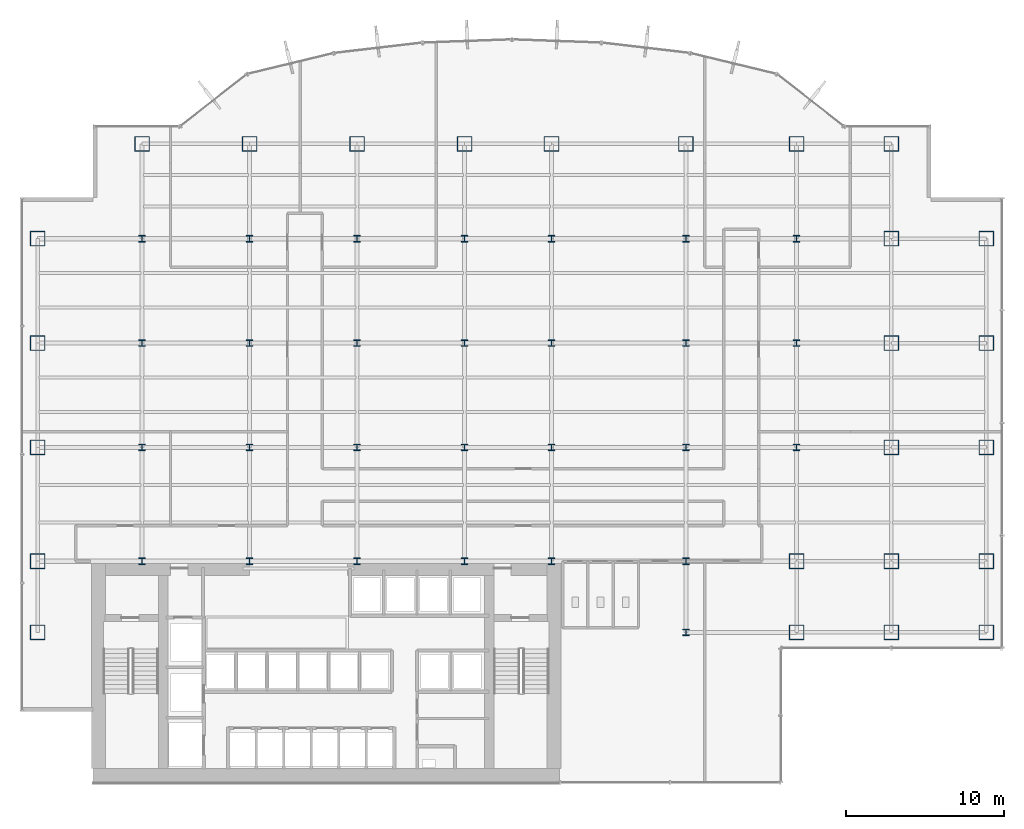
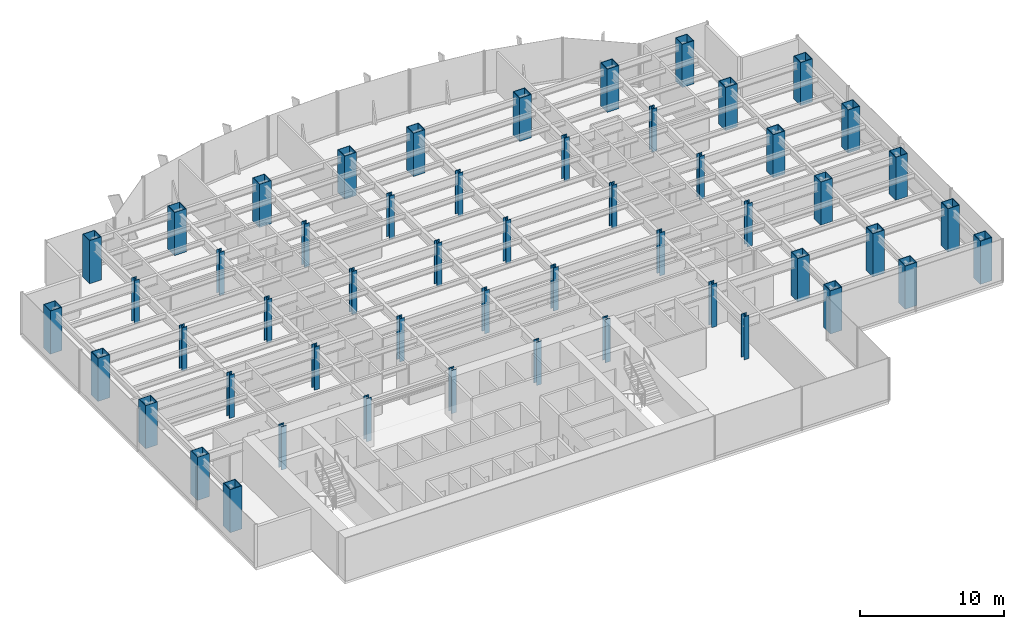
# One storey, part 1 of 22: 53 columns.
"""IFC4 building model written with IfcOpenShell, lengths in metres."""

from ifc_helpers import new_model, si_unit, derived_unit, direction, frame, origin, origin_2d, place, context, subcontext, project, spatial, hollow_rectangle, i_section, extrude, source, transform, mapped, material, material_profile, profile_set, type_object, element, save


model = new_model("IFC4")

# Units and contexts
model_context = context("Model", 3, precision=1e-05, world=origin(), true_north=direction((0.0, 1.0)))
body_context = subcontext(model_context, "Body", "Model", "MODEL_VIEW")
ifc_project = project(units=[si_unit("LENGTHUNIT", "METRE"), si_unit("AREAUNIT", "SQUARE_METRE"), si_unit("VOLUMEUNIT", "CUBIC_METRE"), si_unit("PLANEANGLEUNIT", "RADIAN"), si_unit("MASSUNIT", "GRAM", prefix="KILO"), derived_unit("THERMALTRANSMITTANCEUNIT", [(si_unit("POWERUNIT", "WATT"), 1), (si_unit("LENGTHUNIT", "METRE"), -2), (si_unit("THERMODYNAMICTEMPERATUREUNIT", "KELVIN"), -1)])], contexts=[model_context])

# Site, building, storey
site_placement = place(None, origin())
site = spatial("IfcSite", under=ifc_project, at=site_placement, CompositionType="ELEMENT")
building_placement = place(site_placement, origin())
building = spatial("IfcBuilding", under=site, at=building_placement, Name="Skarnbrae Concourse Arena and Tower", CompositionType="ELEMENT")
storey_placement = place(building_placement, frame((0.0, 0.0, 39.800048828125)))
storey = spatial("IfcBuildingStorey", under=building, at=storey_placement, Name="L08", CompositionType="ELEMENT", Elevation=39.800048828125)

# Columns
ifc_material = material(Name="Steel CSA G40.21 350W", Category="steel")
ifc_material_profile_1 = material_profile(ifc_material, hollow_rectangle(XDim=0.949951171875, YDim=0.949951171875, WallThickness=0.044921875, at=origin_2d()), Name="BOX950X950X45")
ifc_profile_set_1 = profile_set([ifc_material_profile_1], Name="Steel CSA G40.21 350W")
column_type_1 = type_object("IfcColumnType", Name="COL-TUBE-BOX950", PredefinedType="COLUMN", material=ifc_profile_set_1)
shared_shape_1 = source(origin(), body_context, "Body", "SweptSolid", [
    extrude(hollow_rectangle(XDim=0.949951171875, YDim=0.949951171875, WallThickness=0.044921875, at=origin_2d()), origin(), (0.0, 0.0, 1.0), 3.64990234375),
])
for number, where, z_axis, x_axis, name in (
    (1, (1.0, 9.5, 0.0), (0.0, 0.0, 1.0), (1.0, 0.0, 0.0), "L08 Tower column PC_01_01"),
    (2, (1.0, 14.0, 0.0), (0.0, 0.0, 1.0), (1.0, 0.0, 0.0), "L08 Tower column PC_01_02"),
    (3, (1.0, 21.199951171875, 0.0), (0.0, 0.0, 1.0), (1.0, 0.0, 0.0), "L08 Tower column PC_01_03"),
    (4, (1.0, 27.800048828125, 0.0), (0.0, 0.0, 1.0), (1.0, 0.0, 0.0), "L08 Tower column PC_01_04"),
    (5, (1.0, 34.39990234375, 0.0), (0.0, 0.0, 1.0), (1.0, 0.0, 0.0), "L08 Tower column PC_01_05"),
    (6, (7.60009765625, 40.39990234375, 0.0), (0.0, 0.0, 1.0), (1.0, 0.0, 0.0), "L08 Tower column PC_02_06"),
    (7, (14.39990234375, 40.39990234375, 0.0), (0.0, 0.0, 1.0), (1.0, 0.0, 0.0), "L08 Tower column PC_03_06"),
    (8, (21.199951171875, 40.39990234375, 0.0), (0.0, 0.0, 1.0), (1.0, 0.0, 0.0), "L08 Tower column PC_04_06"),
    (9, (28.0, 40.39990234375, 0.0), (0.0, 0.0, 1.0), (1.0, 0.0, 0.0), "L08 Tower column PC_05_06"),
    (10, (33.5, 40.39990234375, 0.0), (0.0, 0.0, 1.0), (1.0, 0.0, 0.0), "L08 Tower column PC_06_06"),
    (11, (42.0, 40.39990234375, 0.0), (0.0, 0.0, 1.0), (1.0, 0.0, 0.0), "L08 Tower column PC_07_06"),
    (12, (49.0, 9.5, 0.0), (0.0, 0.0, 1.0), (1.0, 0.0, 0.0), "L08 Tower column PC_08_01"),
    (13, (49.0, 14.0, 0.0), (0.0, 0.0, 1.0), (1.0, 0.0, 0.0), "L08 Tower column PC_08_02"),
    (14, (49.0, 40.39990234375, 0.0), (0.0, 0.0, 1.0), (1.0, 0.0, 0.0), "L08 Tower column PC_08_06"),
    (15, (55.0, 9.5, 0.0), (0.0, 0.0, 1.0), (1.0, 0.0, 0.0), "L08 Tower column PC_09_01"),
    (16, (55.0, 14.0, 0.0), (0.0, 0.0, 1.0), (1.0, 0.0, 0.0), "L08 Tower column PC_09_02"),
    (17, (55.0, 21.199951171875, 0.0), (0.0, 0.0, 1.0), (1.0, 0.0, 0.0), "L08 Tower column PC_09_03"),
    (18, (55.0, 27.800048828125, 0.0), (0.0, 0.0, 1.0), (1.0, 0.0, 0.0), "L08 Tower column PC_09_04"),
    (19, (55.0, 34.39990234375, 0.0), (0.0, 0.0, 1.0), (1.0, 0.0, 0.0), "L08 Tower column PC_09_05"),
    (20, (55.0, 40.39990234375, 0.0), (0.0, 0.0, 1.0), (1.0, 0.0, 0.0), "L08 Tower column PC_09_06"),
    (21, (61.0, 9.5, 0.0), (0.0, 0.0, 1.0), (1.0, 0.0, 0.0), "L08 Tower column PC_10_01"),
    (22, (61.0, 14.0, 0.0), (0.0, 0.0, 1.0), (1.0, 0.0, 0.0), "L08 Tower column PC_10_02"),
    (23, (61.0, 21.199951171875, 0.0), (0.0, 0.0, 1.0), (1.0, 0.0, 0.0), "L08 Tower column PC_10_03"),
    (24, (61.0, 27.800048828125, 0.0), (0.0, 0.0, 1.0), (1.0, 0.0, 0.0), "L08 Tower column PC_10_04"),
    (25, (61.0, 34.39990234375, 0.0), (0.0, 0.0, 1.0), (1.0, 0.0, 0.0), "L08 Tower column PC_10_05"),
):
    element("IfcColumn", number, at=place(storey_placement, frame(where, z_axis=z_axis, x_axis=x_axis)), inside=storey, type_object=column_type_1, Name=name, PredefinedType="COLUMN", context=body_context, shape_type="MappedRepresentation", body=[
        mapped(shared_shape_1, transform((0.0, 0.0, 0.0))),
    ])
ifc_material_profile_2 = material_profile(ifc_material, i_section(OverallWidth=0.406005859375, OverallDepth=0.416015625, WebThickness=0.02978515625, FlangeThickness=0.048095703125, at=origin_2d()), Name="W360X382")
ifc_profile_set_2 = profile_set([ifc_material_profile_2], Name="Steel CSA G40.21 350W")
column_type_2 = type_object("IfcColumnType", Name="COL-INT-W360X382", PredefinedType="COLUMN", material=ifc_profile_set_2)
shared_shape_2 = source(origin(), body_context, "Body", "SweptSolid", [
    extrude(i_section(OverallWidth=0.406005859375, OverallDepth=0.416015625, WebThickness=0.02978515625, FlangeThickness=0.048095703125, at=origin_2d()), origin(), (0.0, 0.0, 1.0), 3.64990234375),
])
for number, where, z_axis, x_axis, name in (
    (26, (7.60009765625, 14.0, 0.0), (0.0, 0.0, 1.0), (1.0, 0.0, 0.0), "L08 Tower column IC_02_02"),
    (27, (7.60009765625, 21.199951171875, 0.0), (0.0, 0.0, 1.0), (1.0, 0.0, 0.0), "L08 Tower column IC_02_03"),
    (28, (7.60009765625, 27.800048828125, 0.0), (0.0, 0.0, 1.0), (1.0, 0.0, 0.0), "L08 Tower column IC_02_04"),
    (29, (7.60009765625, 34.39990234375, 0.0), (0.0, 0.0, 1.0), (1.0, 0.0, 0.0), "L08 Tower column IC_02_05"),
    (30, (14.39990234375, 14.0, 0.0), (0.0, 0.0, 1.0), (1.0, 0.0, 0.0), "L08 Tower column IC_03_02"),
    (31, (14.39990234375, 21.199951171875, 0.0), (0.0, 0.0, 1.0), (1.0, 0.0, 0.0), "L08 Tower column IC_03_03"),
    (32, (14.39990234375, 27.800048828125, 0.0), (0.0, 0.0, 1.0), (1.0, 0.0, 0.0), "L08 Tower column IC_03_04"),
    (33, (14.39990234375, 34.39990234375, 0.0), (0.0, 0.0, 1.0), (1.0, 0.0, 0.0), "L08 Tower column IC_03_05"),
    (34, (21.199951171875, 14.0, 0.0), (0.0, 0.0, 1.0), (1.0, 0.0, 0.0), "L08 Tower column IC_04_02"),
    (35, (21.199951171875, 21.199951171875, 0.0), (0.0, 0.0, 1.0), (1.0, 0.0, 0.0), "L08 Tower column IC_04_03"),
    (36, (21.199951171875, 27.800048828125, 0.0), (0.0, 0.0, 1.0), (1.0, 0.0, 0.0), "L08 Tower column IC_04_04"),
    (37, (21.199951171875, 34.39990234375, 0.0), (0.0, 0.0, 1.0), (1.0, 0.0, 0.0), "L08 Tower column IC_04_05"),
    (38, (28.0, 14.0, 0.0), (0.0, 0.0, 1.0), (1.0, 0.0, 0.0), "L08 Tower column IC_05_02"),
    (39, (28.0, 21.199951171875, 0.0), (0.0, 0.0, 1.0), (1.0, 0.0, 0.0), "L08 Tower column IC_05_03"),
    (40, (28.0, 27.800048828125, 0.0), (0.0, 0.0, 1.0), (1.0, 0.0, 0.0), "L08 Tower column IC_05_04"),
    (41, (28.0, 34.39990234375, 0.0), (0.0, 0.0, 1.0), (1.0, 0.0, 0.0), "L08 Tower column IC_05_05"),
    (42, (33.5, 14.0, 0.0), (0.0, 0.0, 1.0), (1.0, 0.0, 0.0), "L08 Tower column IC_06_02"),
    (43, (33.5, 21.199951171875, 0.0), (0.0, 0.0, 1.0), (1.0, 0.0, 0.0), "L08 Tower column IC_06_03"),
    (44, (33.5, 27.800048828125, 0.0), (0.0, 0.0, 1.0), (1.0, 0.0, 0.0), "L08 Tower column IC_06_04"),
    (45, (33.5, 34.39990234375, 0.0), (0.0, 0.0, 1.0), (1.0, 0.0, 0.0), "L08 Tower column IC_06_05"),
    (46, (42.0, 9.5, 0.0), (0.0, 0.0, 1.0), (1.0, 0.0, 0.0), "L08 Tower column IC_07_01"),
    (47, (42.0, 14.0, 0.0), (0.0, 0.0, 1.0), (1.0, 0.0, 0.0), "L08 Tower column IC_07_02"),
    (48, (42.0, 21.199951171875, 0.0), (0.0, 0.0, 1.0), (1.0, 0.0, 0.0), "L08 Tower column IC_07_03"),
    (49, (42.0, 27.800048828125, 0.0), (0.0, 0.0, 1.0), (1.0, 0.0, 0.0), "L08 Tower column IC_07_04"),
    (50, (42.0, 34.39990234375, 0.0), (0.0, 0.0, 1.0), (1.0, 0.0, 0.0), "L08 Tower column IC_07_05"),
    (51, (49.0, 21.199951171875, 0.0), (0.0, 0.0, 1.0), (1.0, 0.0, 0.0), "L08 Tower column IC_08_03"),
    (52, (49.0, 27.800048828125, 0.0), (0.0, 0.0, 1.0), (1.0, 0.0, 0.0), "L08 Tower column IC_08_04"),
    (53, (49.0, 34.39990234375, 0.0), (0.0, 0.0, 1.0), (1.0, 0.0, 0.0), "L08 Tower column IC_08_05"),
):
    element("IfcColumn", number, at=place(storey_placement, frame(where, z_axis=z_axis, x_axis=x_axis)), inside=storey, type_object=column_type_2, Name=name, PredefinedType="COLUMN", context=body_context, shape_type="MappedRepresentation", body=[
        mapped(shared_shape_2, transform((0.0, 0.0, 0.0))),
    ])

save(model, "model.ifc")
